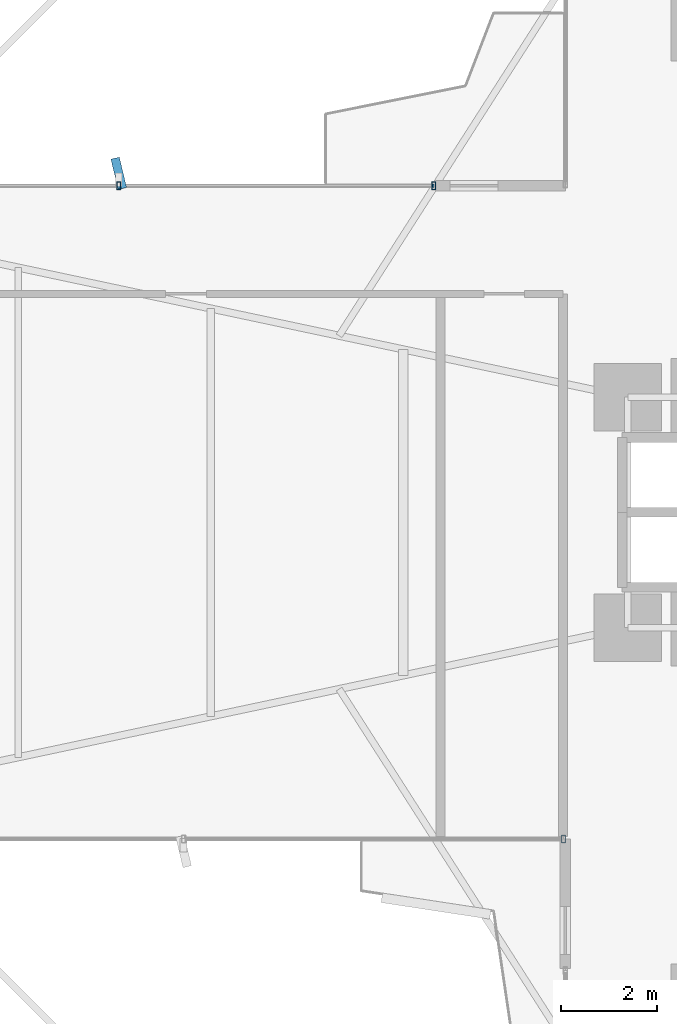
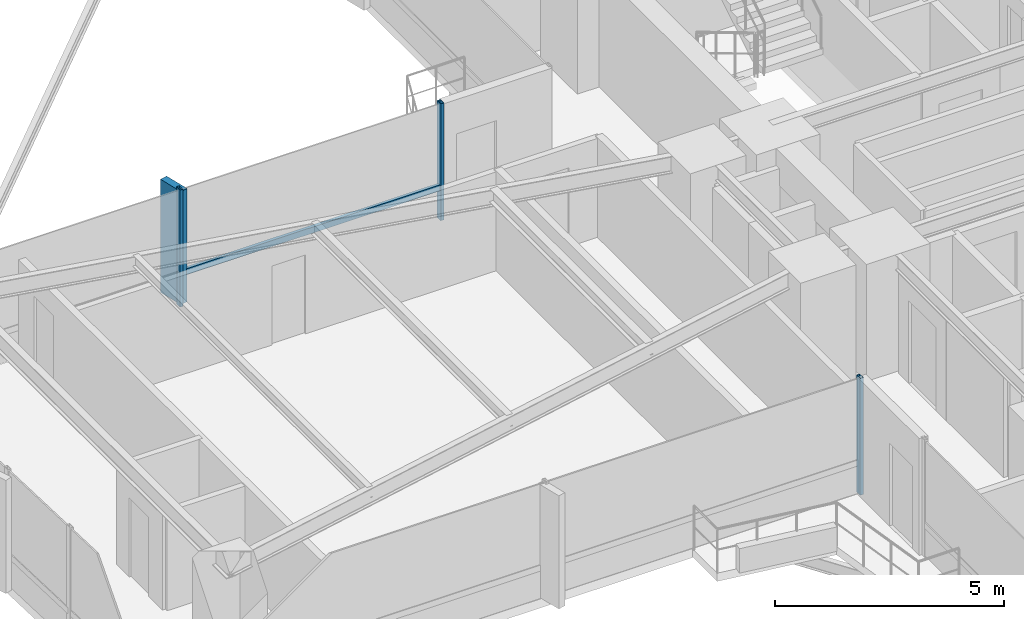
# One storey, part 10 of 25: 5 members, 2 elements without a shape of their own.
"""IFC4 building model written with IfcOpenShell, lengths in metres."""

from ifc_helpers import new_model, si_unit, direction, frame, origin, origin_2d, place, context, subcontext, project, spatial, rectangle, hollow_rectangle, extrude, source, transform, mapped, material, material_profile, profile_set, type_object, element, aggregate, save


model = new_model("IFC4")

# Units and contexts
model_context = context("Model", 3, precision=1e-05, world=origin(), true_north=direction((0.0, 1.0)))
body_context = subcontext(model_context, "Body", "Model", "MODEL_VIEW")
ifc_project = project(units=[si_unit("LENGTHUNIT", "METRE"), si_unit("AREAUNIT", "SQUARE_METRE"), si_unit("VOLUMEUNIT", "CUBIC_METRE"), si_unit("PLANEANGLEUNIT", "RADIAN"), si_unit("MASSUNIT", "GRAM", prefix="KILO")], contexts=[model_context])

# Site, building, storey
site_placement = place(None, origin())
site = spatial("IfcSite", under=ifc_project, at=site_placement, CompositionType="ELEMENT")
building_placement = place(site_placement, origin())
building = spatial("IfcBuilding", under=site, at=building_placement, Name="Sahyath Konkavel Grand Hotel", CompositionType="ELEMENT")
storey_placement = place(building_placement, frame((0.0, 0.0, 36.5)))
storey = spatial("IfcBuildingStorey", under=building, at=storey_placement, Name="L09", CompositionType="ELEMENT", Elevation=36.5)

# Curtain wall, members
ifc_material_1 = material(Name="Anodised Bronze Aluminium & Low-E Glazing", Category="aluminium")
curtain_wall_type = type_object("IfcCurtainWallType", Name="CW-ZONE1", PredefinedType="NOTDEFINED", material=ifc_material_1)
curtain_wall_1_placement = place(storey_placement, origin())
curtain_wall_1 = element("IfcCurtainWall", 1, at=curtain_wall_1_placement, inside=storey, type_object=curtain_wall_type, Name="L09 Unitised Curtain Wall F16", PredefinedType="NOTDEFINED")
ifc_material_2 = material(Name="Warm Buff Sandstone Cladding on Concrete C50/60", Category="masonry")
ifc_material_profile_1 = material_profile(ifc_material_2, rectangle(XDim=0.179931640625, YDim=0.64990234375, at=origin_2d()), Name="FIN 180x650")
ifc_profile_set_1 = profile_set([ifc_material_profile_1], Name="Warm Buff Sandstone Cladding on Concrete C50/60")
member_type_1 = type_object("IfcMemberType", Name="FIN-SANDSTONE-650", PredefinedType="MULLION", material=ifc_profile_set_1)
shared_shape_1 = source(origin(), body_context, "Body", "SweptSolid", [
    extrude(rectangle(XDim=0.179931640625, YDim=0.64990234375, at=origin_2d()), origin(), (0.0, 0.0, 1.0), 3.010009765625),
])
member_1_placement = place(storey_placement, frame((-16.10009765625, 7.06005859375, 0.050048828125), z_axis=(0.0, 0.0, 1.0), x_axis=(0.972369920398, 0.233445363856, 0.0)))
member_1 = element("IfcMember", 2, at=member_1_placement, type_object=member_type_1, Name="L09 Sandstone Vertical Solar Fin FIN F16-1", PredefinedType="MULLION", context=body_context, shape_type="MappedRepresentation", body=[
    mapped(shared_shape_1, transform((0.0, 0.0, 0.0), scale=1.0)),
])
ifc_material_3 = material(Name="Anodised Bronze Aluminium", Category="aluminium")
ifc_material_profile_2 = material_profile(ifc_material_3, hollow_rectangle(XDim=0.080078125, YDim=0.159912109375, WallThickness=0.006103515625, at=origin_2d()), Name="RHS 160x80x6")
ifc_profile_set_2 = profile_set([ifc_material_profile_2], Name="Anodised Bronze Aluminium")
member_type_2 = type_object("IfcMemberType", Name="CW-MUL-160", PredefinedType="MULLION", material=ifc_profile_set_2)
shared_shape_2 = source(origin(), body_context, "Body", "SweptSolid", [
    extrude(hollow_rectangle(XDim=0.080078125, YDim=0.159912109375, WallThickness=0.006103515625, at=origin_2d()), origin(), (0.0, 0.0, 1.0), 3.110107421875),
])
member_2_placement = place(storey_placement, frame((-9.5400390625, 6.800048828125, 0.0), z_axis=(0.0, 0.0, 1.0), x_axis=(1.0, 0.0, 0.0)))
member_2 = element("IfcMember", 3, at=member_2_placement, type_object=member_type_2, Name="L09 Curtain Wall Mullion F16-0", PredefinedType="MULLION", context=body_context, shape_type="MappedRepresentation", body=[
    mapped(shared_shape_2, transform((0.0, 0.0, 0.0), scale=1.0)),
])
member_3_placement = place(storey_placement, frame((-16.10009765625, 6.800048828125, 0.0), z_axis=(0.0, 0.0, 1.0), x_axis=(1.0, 0.0, 0.0)))
member_3 = element("IfcMember", 4, at=member_3_placement, type_object=member_type_2, Name="L09 Curtain Wall Mullion F16-1", PredefinedType="MULLION", context=body_context, shape_type="MappedRepresentation", body=[
    mapped(shared_shape_2, transform((0.0, 0.0, 0.0), scale=1.0)),
])

# Curtain wall, member
curtain_wall_2_placement = place(storey_placement, origin())
curtain_wall_2 = element("IfcCurtainWall", 5, at=curtain_wall_2_placement, inside=storey, type_object=curtain_wall_type, Name="L09 Unitised Curtain Wall F23", PredefinedType="NOTDEFINED")
member_4_placement = place(storey_placement, frame((-6.840087890625, -6.800048828125, 0.0), z_axis=(0.0, 0.0, 1.0), x_axis=(1.0, 0.0, 0.0)))
member_4 = element("IfcMember", 6, at=member_4_placement, type_object=member_type_2, Name="L09 Curtain Wall Mullion F23-2", PredefinedType="MULLION", context=body_context, shape_type="MappedRepresentation", body=[
    mapped(shared_shape_2, transform((0.0, 0.0, 0.0), scale=1.0)),
])
aggregate(curtain_wall_2, [member_4])

# Member
ifc_material_profile_3 = material_profile(ifc_material_3, hollow_rectangle(XDim=0.080078125, YDim=0.159912109375, WallThickness=0.006103515625, at=origin_2d()), Name="RHS 160x80x6")
ifc_profile_set_3 = profile_set([ifc_material_profile_3], Name="Anodised Bronze Aluminium")
member_type_3 = type_object("IfcMemberType", Name="CW-TRN-160", PredefinedType="USERDEFINED", material=ifc_profile_set_3)
shared_shape_3 = source(origin(), body_context, "Body", "SweptSolid", [
    extrude(hollow_rectangle(XDim=0.080078125, YDim=0.159912109375, WallThickness=0.006103515625, at=origin_2d()), origin(), (0.0, 0.0, 1.0), 6.56005859375),
])
member_5_placement = place(storey_placement, frame((-9.5400390625, 6.800048828125, 0.85009765625), z_axis=(-1.0, 0.0, 0.0), x_axis=(0.0, -1.0, 0.0)))
member_5 = element("IfcMember", 7, at=member_5_placement, type_object=member_type_3, Name="L09 Curtain Wall Transom F16-0-spandrel", ObjectType="TRANSOM", PredefinedType="USERDEFINED", context=body_context, shape_type="MappedRepresentation", body=[
    mapped(shared_shape_3, transform((0.0, 0.0, 0.0), scale=1.0)),
])

aggregate(curtain_wall_1, [member_2, member_3, member_1, member_5])

save(model, "model.ifc")
